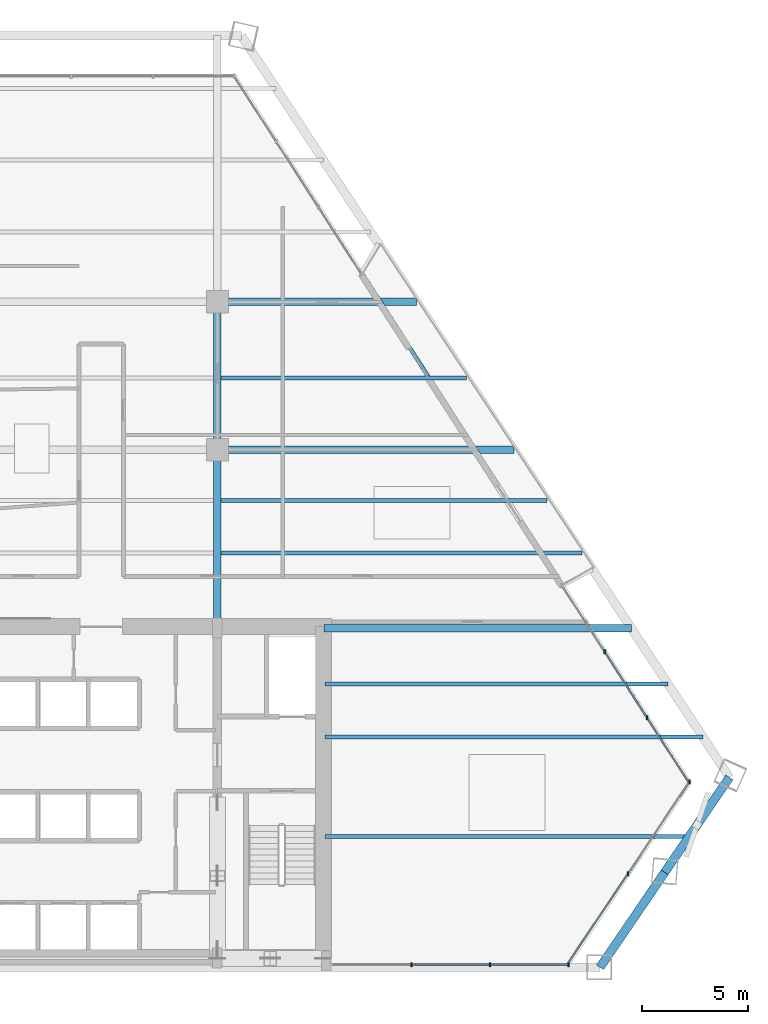
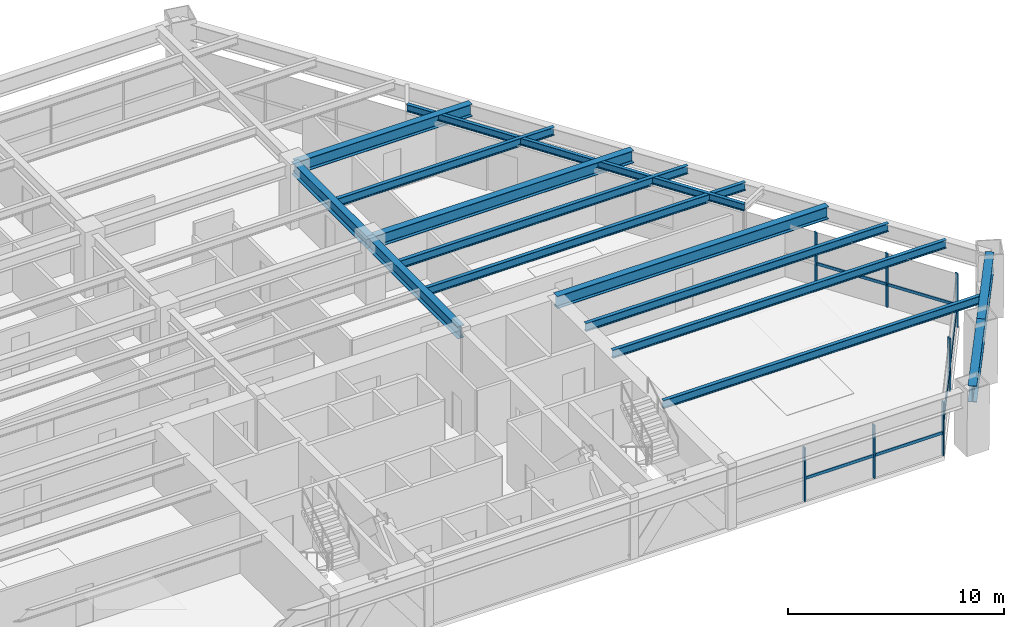
# One storey, part 6 of 14: 14 beams, 13 members, 3 elements without a shape of their own.
"""IFC4 building model written with IfcOpenShell, lengths in metres."""

from ifc_helpers import new_model, si_unit, direction, frame, origin, origin_2d, place, context, subcontext, project, spatial, rectangle, i_section, extrude, source, transform, mapped, material, material_profile, profile_set, type_object, type_shapes, element, aggregate, save


model = new_model("IFC4")

# Units and contexts
model_context = context("Model", 3, precision=1e-05, world=origin(), true_north=direction((0.0, 1.0)))
body_context = subcontext(model_context, "Body", "Model", "MODEL_VIEW")
ifc_project = project(units=[si_unit("LENGTHUNIT", "METRE"), si_unit("AREAUNIT", "SQUARE_METRE"), si_unit("VOLUMEUNIT", "CUBIC_METRE"), si_unit("PLANEANGLEUNIT", "RADIAN"), si_unit("MASSUNIT", "GRAM", prefix="KILO")], contexts=[model_context])

# Site, building, storey
site_placement = place(None, origin())
site = spatial("IfcSite", under=ifc_project, at=site_placement, CompositionType="ELEMENT")
building_placement = place(site_placement, origin())
building = spatial("IfcBuilding", under=site, at=building_placement, Name="Varnakhor Terracotta Tower", CompositionType="ELEMENT")
storey_placement = place(building_placement, frame((0.0, 0.0, 106.199951171875)))
storey = spatial("IfcBuildingStorey", under=building, at=storey_placement, Name="L26", CompositionType="ELEMENT", Elevation=106.199951171875)

# Beams
ifc_material_1 = material(Name="Steel S355", Category="steel")
ifc_material_profile_1 = material_profile(ifc_material_1, i_section(OverallWidth=0.35498046875, OverallDepth=0.695068359375, WebThickness=0.014892578125, FlangeThickness=0.02490234375, FilletRadius=0.01806640625, at=origin_2d()), Name="W27X146")
ifc_profile_set_1 = profile_set([ifc_material_profile_1], Name="Steel S355")
beam_type_1 = type_object("IfcBeamType", Name="BM-W27X146", PredefinedType="BEAM", material=ifc_profile_set_1)
shared_shape_1 = source(origin(), body_context, "Body", "SweptSolid", [
    extrude(i_section(OverallWidth=0.35498046875, OverallDepth=0.695068359375, WebThickness=0.014892578125, FlangeThickness=0.02490234375, FilletRadius=0.01806640625, at=origin_2d()), origin(), (0.0, 0.0, 1.0), 8.449951171875),
])
type_shapes(beam_type_1, [shared_shape_1])
beam_1_placement = place(storey_placement, frame((5.5, 16.050048828125, 3.1025390625), z_axis=(0.0, 1.0, 0.0), x_axis=(-1.0, 0.0, 0.0)))
element("IfcBeam", 1, at=beam_1_placement, inside=storey, type_object=beam_type_1, Name="L26 Primary Girder NS1-E", PredefinedType="BEAM", context=body_context, shape_type="MappedRepresentation", body=[
    mapped(shared_shape_1, transform((0.0, 0.0, 0.0), scale=1.0)),
])
shared_shape_2 = source(origin(), body_context, "Body", "SweptSolid", [
    extrude(i_section(OverallWidth=0.35498046875, OverallDepth=0.695068359375, WebThickness=0.014892578125, FlangeThickness=0.02490234375, FilletRadius=0.01806640625, at=origin_2d()), origin(), (0.0, 0.0, 1.0), 7.0),
])
beam_2_placement = place(storey_placement, frame((5.5, 24.5, 3.1025390625), z_axis=(0.0, 1.0, 0.0), x_axis=(-1.0, 0.0, 0.0)))
element("IfcBeam", 2, at=beam_2_placement, inside=storey, type_object=beam_type_1, Name="L26 Primary Girder NS2-E", PredefinedType="BEAM", context=body_context, shape_type="MappedRepresentation", body=[
    mapped(shared_shape_2, transform((0.0, 0.0, 0.0), scale=1.0)),
])
ifc_material_profile_2 = material_profile(ifc_material_1, i_section(OverallWidth=0.19189453125, OverallDepth=0.462890625, WebThickness=0.010498046875, FlangeThickness=0.017578125, FilletRadius=0.01806640625, at=origin_2d()), Name="W18X60")
ifc_profile_set_2 = profile_set([ifc_material_profile_2], Name="Steel S355")
beam_type_2 = type_object("IfcBeamType", Name="JST-W18X60", PredefinedType="JOIST", material=ifc_profile_set_2)
shared_shape_3 = source(origin(), body_context, "Body", "SweptSolid", [
    extrude(i_section(OverallWidth=0.19189453125, OverallDepth=0.462890625, WebThickness=0.010498046875, FlangeThickness=0.017578125, FilletRadius=0.01806640625, at=origin_2d()), origin(), (0.0, 0.0, 1.0), 17.080810546875),
])
beam_3_placement = place(storey_placement, frame((5.673583984375, 19.60009765625, 3.218505859375), z_axis=(1.0, 0.0, 0.0), x_axis=(0.0, 1.0, 0.0)))
element("IfcBeam", 3, at=beam_3_placement, inside=storey, type_object=beam_type_2, Name="L26 Composite Floor Joist 4-3", PredefinedType="JOIST", context=body_context, shape_type="MappedRepresentation", body=[
    mapped(shared_shape_3, transform((0.0, 0.0, 0.0), scale=1.0)),
])
ifc_material_profile_3 = material_profile(ifc_material_1, i_section(OverallWidth=0.41796875, OverallDepth=0.927001953125, WebThickness=0.01904296875, FlangeThickness=0.031982421875, FilletRadius=0.01806640625, at=origin_2d()), Name="W36X231")
ifc_profile_set_3 = profile_set([ifc_material_profile_3], Name="Steel S355")
beam_type_3 = type_object("IfcBeamType", Name="BM-W36X231", PredefinedType="BEAM", material=ifc_profile_set_3)
shared_shape_4 = source(origin(), body_context, "Body", "SweptSolid", [
    extrude(i_section(OverallWidth=0.41796875, OverallDepth=0.927001953125, WebThickness=0.01904296875, FlangeThickness=0.031982421875, FilletRadius=0.01806640625, at=origin_2d()), origin(), (0.0, 0.0, 1.0), 5.440185546875),
])
beam_4_placement = place(storey_placement, frame((23.609375, 0.0, 2.986572265625), z_axis=(0.562988641451, 0.826464632998, 0.0), x_axis=(-0.826464632998, 0.562988641451, 0.0)))
element("IfcBeam", 4, at=beam_4_placement, inside=storey, type_object=beam_type_3, Name="L26 Perimeter Spandrel 2", PredefinedType="BEAM", context=body_context, shape_type="MappedRepresentation", body=[
    mapped(shared_shape_4, transform((0.0, 0.0, 0.0), scale=1.0)),
])
shared_shape_5 = source(origin(), body_context, "Body", "SweptSolid", [
    extrude(i_section(OverallWidth=0.41796875, OverallDepth=0.927001953125, WebThickness=0.01904296875, FlangeThickness=0.031982421875, FilletRadius=0.01806640625, at=origin_2d()), origin(), (0.0, 0.0, 1.0), 5.4404296875),
])
beam_5_placement = place(storey_placement, frame((26.672119140625, 4.49609375, 2.986572265625), z_axis=(0.562998413046, 0.826457976492, 0.0), x_axis=(-0.826457976492, 0.562998413046, 0.0)))
element("IfcBeam", 5, at=beam_5_placement, inside=storey, type_object=beam_type_3, Name="L26 Perimeter Spandrel 3", PredefinedType="BEAM", context=body_context, shape_type="MappedRepresentation", body=[
    mapped(shared_shape_5, transform((0.0, 0.0, 0.0), scale=1.0)),
])
ifc_material_profile_4 = material_profile(ifc_material_1, i_section(OverallWidth=0.179931640625, OverallDepth=0.39990234375, WebThickness=0.008544921875, FlangeThickness=0.013427734375, FilletRadius=0.01806640625, at=origin_2d()), Name="IPE400")
ifc_profile_set_4 = profile_set([ifc_material_profile_4], Name="Steel S355")
beam_type_4 = type_object("IfcBeamType", Name="JST-IPE400", PredefinedType="JOIST", material=ifc_profile_set_4)
shared_shape_6 = source(origin(), body_context, "Body", "SweptSolid", [
    extrude(i_section(OverallWidth=0.179931640625, OverallDepth=0.39990234375, WebThickness=0.008544921875, FlangeThickness=0.013427734375, FilletRadius=0.01806640625, at=origin_2d()), origin(), (0.0, 0.0, 1.0), 17.617919921875),
])
beam_6_placement = place(storey_placement, frame((21.84521484375, 18.060546875, 3.25), z_axis=(-0.540676345081, 0.841230699553, 0.0), x_axis=(-0.841230699553, -0.540676345081, 0.0)))
element("IfcBeam", 6, at=beam_6_placement, inside=storey, type_object=beam_type_4, Name="L26 Loggia Edge Beam 1", PredefinedType="JOIST", context=body_context, shape_type="MappedRepresentation", body=[
    mapped(shared_shape_6, transform((0.0, 0.0, 0.0), scale=1.0)),
])
shared_shape_7 = source(origin(), body_context, "Body", "SweptSolid", [
    extrude(i_section(OverallWidth=0.35498046875, OverallDepth=0.695068359375, WebThickness=0.014892578125, FlangeThickness=0.02490234375, FilletRadius=0.01806640625, at=origin_2d()), origin(), (0.0, 0.0, 1.0), 14.540771484375),
])
beam_7_placement = place(storey_placement, frame((10.550048828125, 16.050048828125, 3.1025390625), z_axis=(1.0, 0.0, 0.0), x_axis=(0.0, 1.0, 0.0)))
element("IfcBeam", 7, at=beam_7_placement, inside=storey, type_object=beam_type_1, Name="L26 Wing Girder E", PredefinedType="BEAM", context=body_context, shape_type="MappedRepresentation", body=[
    mapped(shared_shape_7, transform((0.0, 0.0, 0.0), scale=1.0)),
])
shared_shape_8 = source(origin(), body_context, "Body", "SweptSolid", [
    extrude(i_section(OverallWidth=0.35498046875, OverallDepth=0.695068359375, WebThickness=0.014892578125, FlangeThickness=0.02490234375, FilletRadius=0.01806640625, at=origin_2d()), origin(), (0.0, 0.0, 1.0), 14.02978515625),
])
beam_8_placement = place(storey_placement, frame((5.5, 24.5, 3.1025390625), z_axis=(1.0, 0.0, 0.0), x_axis=(0.0, 1.0, 0.0)))
element("IfcBeam", 8, at=beam_8_placement, inside=storey, type_object=beam_type_1, Name="L26 Primary Girder EW2-3", PredefinedType="BEAM", context=body_context, shape_type="MappedRepresentation", body=[
    mapped(shared_shape_8, transform((0.0, 0.0, 0.0), scale=1.0)),
])
shared_shape_9 = source(origin(), body_context, "Body", "SweptSolid", [
    extrude(i_section(OverallWidth=0.35498046875, OverallDepth=0.695068359375, WebThickness=0.014892578125, FlangeThickness=0.02490234375, FilletRadius=0.01806640625, at=origin_2d()), origin(), (0.0, 0.0, 1.0), 9.42333984375),
])
beam_9_placement = place(storey_placement, frame((5.5, 31.5, 3.1025390625), z_axis=(1.0, 0.0, 0.0), x_axis=(0.0, 1.0, 0.0)))
element("IfcBeam", 9, at=beam_9_placement, inside=storey, type_object=beam_type_1, Name="L26 Primary Girder EW3-3", PredefinedType="BEAM", context=body_context, shape_type="MappedRepresentation", body=[
    mapped(shared_shape_9, transform((0.0, 0.0, 0.0), scale=1.0)),
])
shared_shape_10 = source(origin(), body_context, "Body", "SweptSolid", [
    extrude(i_section(OverallWidth=0.19189453125, OverallDepth=0.462890625, WebThickness=0.010498046875, FlangeThickness=0.017578125, FilletRadius=0.01806640625, at=origin_2d()), origin(), (0.0, 0.0, 1.0), 17.23291015625),
])
beam_10_placement = place(storey_placement, frame((10.60009765625, 6.199951171875, 3.218505859375), z_axis=(1.0, 0.0, 0.0), x_axis=(0.0, 1.0, 0.0)))
element("IfcBeam", 10, at=beam_10_placement, inside=storey, type_object=beam_type_2, Name="L26 Floor Joist E1", PredefinedType="JOIST", context=body_context, shape_type="MappedRepresentation", body=[
    mapped(shared_shape_10, transform((0.0, 0.0, 0.0), scale=1.0)),
])
shared_shape_11 = source(origin(), body_context, "Body", "SweptSolid", [
    extrude(i_section(OverallWidth=0.19189453125, OverallDepth=0.462890625, WebThickness=0.010498046875, FlangeThickness=0.017578125, FilletRadius=0.01806640625, at=origin_2d()), origin(), (0.0, 0.0, 1.0), 17.8798828125),
])
beam_11_placement = place(storey_placement, frame((10.60009765625, 10.89990234375, 3.218505859375), z_axis=(1.0, 0.0, 0.0), x_axis=(0.0, 1.0, 0.0)))
element("IfcBeam", 11, at=beam_11_placement, inside=storey, type_object=beam_type_2, Name="L26 Floor Joist E2", PredefinedType="JOIST", context=body_context, shape_type="MappedRepresentation", body=[
    mapped(shared_shape_11, transform((0.0, 0.0, 0.0), scale=1.0)),
])
shared_shape_12 = source(origin(), body_context, "Body", "SweptSolid", [
    extrude(i_section(OverallWidth=0.19189453125, OverallDepth=0.462890625, WebThickness=0.010498046875, FlangeThickness=0.017578125, FilletRadius=0.01806640625, at=origin_2d()), origin(), (0.0, 0.0, 1.0), 16.234619140625),
])
beam_12_placement = place(storey_placement, frame((10.60009765625, 13.39990234375, 3.218505859375), z_axis=(1.0, 0.0, 0.0), x_axis=(0.0, 1.0, 0.0)))
element("IfcBeam", 12, at=beam_12_placement, inside=storey, type_object=beam_type_2, Name="L26 Floor Joist E3", PredefinedType="JOIST", context=body_context, shape_type="MappedRepresentation", body=[
    mapped(shared_shape_12, transform((0.0, 0.0, 0.0), scale=1.0)),
])
shared_shape_13 = source(origin(), body_context, "Body", "SweptSolid", [
    extrude(i_section(OverallWidth=0.19189453125, OverallDepth=0.462890625, WebThickness=0.010498046875, FlangeThickness=0.017578125, FilletRadius=0.01806640625, at=origin_2d()), origin(), (0.0, 0.0, 1.0), 15.435791015625),
])
beam_13_placement = place(storey_placement, frame((5.673583984375, 22.10009765625, 3.218505859375), z_axis=(1.0, 0.0, 0.0), x_axis=(0.0, 1.0, 0.0)))
element("IfcBeam", 13, at=beam_13_placement, inside=storey, type_object=beam_type_2, Name="L26 Composite Floor Joist 5-3", PredefinedType="JOIST", context=body_context, shape_type="MappedRepresentation", body=[
    mapped(shared_shape_13, transform((0.0, 0.0, 0.0), scale=1.0)),
])
shared_shape_14 = source(origin(), body_context, "Body", "SweptSolid", [
    extrude(i_section(OverallWidth=0.19189453125, OverallDepth=0.462890625, WebThickness=0.010498046875, FlangeThickness=0.017578125, FilletRadius=0.01806640625, at=origin_2d()), origin(), (0.0, 0.0, 1.0), 11.618896484375),
])
beam_14_placement = place(storey_placement, frame((5.673583984375, 27.89990234375, 3.218505859375), z_axis=(1.0, 0.0, 0.0), x_axis=(0.0, 1.0, 0.0)))
element("IfcBeam", 14, at=beam_14_placement, inside=storey, type_object=beam_type_2, Name="L26 Composite Floor Joist 6-3", PredefinedType="JOIST", context=body_context, shape_type="MappedRepresentation", body=[
    mapped(shared_shape_14, transform((0.0, 0.0, 0.0), scale=1.0)),
])

# Curtain wall, members
ifc_material_2 = material(Name="Anodised Aluminium Curtain Wall System", Category="aluminium")
curtain_wall_type = type_object("IfcCurtainWallType", Name="CW-SYS-LOW-OFFICE", PredefinedType="NOTDEFINED", material=ifc_material_2)
curtain_wall_1_placement = place(storey_placement, origin())
curtain_wall_1 = element("IfcCurtainWall", 15, at=curtain_wall_1_placement, inside=storey, type_object=curtain_wall_type, Name="L26 E Facet Curtain Wall 2", PredefinedType="NOTDEFINED")
ifc_material_3 = material(Name="Anodised Aluminium 6063-T6", Category="aluminium")
ifc_material_profile_5 = material_profile(ifc_material_3, rectangle(XDim=0.074951171875, YDim=0.18505859375, at=origin_2d()), Name="ALU MULLION 75x185")
ifc_profile_set_5 = profile_set([ifc_material_profile_5], Name="Anodised Aluminium 6063-T6")
member_type_1 = type_object("IfcMemberType", Name="CWM-02", PredefinedType="MULLION", material=ifc_profile_set_5)
shared_shape_15 = source(origin(), body_context, "Body", "SweptSolid", [
    extrude(rectangle(XDim=0.074951171875, YDim=0.18505859375, at=origin_2d()), origin(), (0.0, 0.0, 1.0), 3.030029296875),
])
type_shapes(member_type_1, [shared_shape_15])
member_1_placement = place(storey_placement, frame((23.83544921875, 14.931396484375, 0.0), z_axis=(0.0, 0.0, 1.0), x_axis=(1.0, 0.0, 0.0)))
member_1 = element("IfcMember", 16, at=member_1_placement, type_object=member_type_1, Name="L26 E Facet Curtain Wall 2 Mullion 2", PredefinedType="MULLION", context=body_context, shape_type="MappedRepresentation", body=[
    mapped(shared_shape_15, transform((0.0, 0.0, 0.0), scale=1.0)),
])
member_2_placement = place(storey_placement, frame((25.84033203125, 11.81689453125, 0.0), z_axis=(0.0, 0.0, 1.0), x_axis=(1.0, 0.0, 0.0)))
member_2 = element("IfcMember", 17, at=member_2_placement, type_object=member_type_1, Name="L26 E Facet Curtain Wall 2 Mullion 3", PredefinedType="MULLION", context=body_context, shape_type="MappedRepresentation", body=[
    mapped(shared_shape_15, transform((0.0, 0.0, 0.0), scale=1.0)),
])

curtain_wall_2_placement = place(storey_placement, origin())
curtain_wall_2 = element("IfcCurtainWall", 18, at=curtain_wall_2_placement, inside=storey, type_object=curtain_wall_type, Name="L26 Facet Curtain Wall 4", PredefinedType="NOTDEFINED")
member_3_placement = place(storey_placement, frame((27.845947265625, 8.78369140625, 0.0), z_axis=(0.0, 0.0, 1.0), x_axis=(1.0, 0.0, 0.0)))
member_3 = element("IfcMember", 19, at=member_3_placement, type_object=member_type_1, Name="L26 Facet Curtain Wall 4 Mullion 1", PredefinedType="MULLION", context=body_context, shape_type="MappedRepresentation", body=[
    mapped(shared_shape_15, transform((0.0, 0.0, 0.0), scale=1.0)),
])
member_4_placement = place(storey_placement, frame((24.94091796875, 4.437744140625, 0.0), z_axis=(0.0, 0.0, 1.0), x_axis=(1.0, 0.0, 0.0)))
member_4 = element("IfcMember", 20, at=member_4_placement, type_object=member_type_1, Name="L26 Facet Curtain Wall 4 Mullion 2", PredefinedType="MULLION", context=body_context, shape_type="MappedRepresentation", body=[
    mapped(shared_shape_15, transform((0.0, 0.0, 0.0), scale=1.0)),
])

curtain_wall_3_placement = place(storey_placement, origin())
curtain_wall_3 = element("IfcCurtainWall", 21, at=curtain_wall_3_placement, inside=storey, type_object=curtain_wall_type, Name="L26 South Wing Curtain Wall SSE", PredefinedType="NOTDEFINED")
member_5_placement = place(storey_placement, frame((22.109130859375, 0.1201171875, 0.0), z_axis=(0.0, 0.0, 1.0), x_axis=(1.0, 0.0, 0.0)))
member_5 = element("IfcMember", 22, at=member_5_placement, type_object=member_type_1, Name="L26 South Wing Curtain Wall SSE Mullion 1", PredefinedType="MULLION", context=body_context, shape_type="MappedRepresentation", body=[
    mapped(shared_shape_15, transform((0.0, 0.0, 0.0), scale=1.0)),
])
member_6_placement = place(storey_placement, frame((18.39599609375, 0.1201171875, 0.0), z_axis=(0.0, 0.0, 1.0), x_axis=(1.0, 0.0, 0.0)))
member_6 = element("IfcMember", 23, at=member_6_placement, type_object=member_type_1, Name="L26 South Wing Curtain Wall SSE Mullion 2", PredefinedType="MULLION", context=body_context, shape_type="MappedRepresentation", body=[
    mapped(shared_shape_15, transform((0.0, 0.0, 0.0), scale=1.0)),
])
member_7_placement = place(storey_placement, frame((14.68310546875, 0.1201171875, 0.0), z_axis=(0.0, 0.0, 1.0), x_axis=(1.0, 0.0, 0.0)))
member_7 = element("IfcMember", 24, at=member_7_placement, type_object=member_type_1, Name="L26 South Wing Curtain Wall SSE Mullion 3", PredefinedType="MULLION", context=body_context, shape_type="MappedRepresentation", body=[
    mapped(shared_shape_15, transform((0.0, 0.0, 0.0), scale=1.0)),
])

# Member
ifc_material_profile_6 = material_profile(ifc_material_3, rectangle(XDim=0.074951171875, YDim=0.1650390625, at=origin_2d()), Name="ALU TRANSOM 75x165")
ifc_profile_set_6 = profile_set([ifc_material_profile_6], Name="Anodised Aluminium 6063-T6")
member_type_2 = type_object("IfcMemberType", Name="CWT-02", PredefinedType="USERDEFINED", material=ifc_profile_set_6)
shared_shape_16 = source(origin(), body_context, "Body", "SweptSolid", [
    extrude(rectangle(XDim=0.074951171875, YDim=0.1650390625, at=origin_2d()), origin(), (0.0, 0.0, 1.0), 3.7041015625),
])
member_8_placement = place(storey_placement, frame((23.83544921875, 14.931396484375, 1.272705078125), z_axis=(0.54127384405, -0.840846374641, 0.0), x_axis=(0.840846374641, 0.54127384405, 0.0)))
member_8 = element("IfcMember", 25, at=member_8_placement, type_object=member_type_2, Name="L26 E Facet Curtain Wall 2 Transom 2", ObjectType="TRANSOM", PredefinedType="USERDEFINED", context=body_context, shape_type="MappedRepresentation", body=[
    mapped(shared_shape_16, transform((0.0, 0.0, 0.0), scale=1.0)),
])

member_9_placement = place(storey_placement, frame((25.84033203125, 11.81689453125, 1.272705078125), z_axis=(0.54127384405, -0.840846374641, 0.0), x_axis=(0.840846374641, 0.54127384405, 0.0)))
member_9 = element("IfcMember", 26, at=member_9_placement, type_object=member_type_2, Name="L26 E Facet Curtain Wall 2 Transom 3", ObjectType="TRANSOM", PredefinedType="USERDEFINED", context=body_context, shape_type="MappedRepresentation", body=[
    mapped(shared_shape_16, transform((0.0, 0.0, 0.0), scale=1.0)),
])

aggregate(curtain_wall_1, [member_1, member_8, member_2, member_9])

shared_shape_17 = source(origin(), body_context, "Body", "SweptSolid", [
    extrude(rectangle(XDim=0.074951171875, YDim=0.1650390625, at=origin_2d()), origin(), (0.0, 0.0, 1.0), 5.2275390625),
])
member_10_placement = place(storey_placement, frame((27.845947265625, 8.78369140625, 1.272705078125), z_axis=(-0.555723658294, -0.831367076334, 0.0), x_axis=(0.831367076334, -0.555723658294, 0.0)))
member_10 = element("IfcMember", 27, at=member_10_placement, type_object=member_type_2, Name="L26 Facet Curtain Wall 4 Transom 1", ObjectType="TRANSOM", PredefinedType="USERDEFINED", context=body_context, shape_type="MappedRepresentation", body=[
    mapped(shared_shape_17, transform((0.0, 0.0, 0.0), scale=1.0)),
])

shared_shape_18 = source(origin(), body_context, "Body", "SweptSolid", [
    extrude(rectangle(XDim=0.074951171875, YDim=0.1650390625, at=origin_2d()), origin(), (0.0, 0.0, 1.0), 5.227783203125),
])
member_11_placement = place(storey_placement, frame((24.94091796875, 4.437744140625, 1.272705078125), z_axis=(-0.555702081494, -0.831381498846, 0.0), x_axis=(0.831381498846, -0.555702081494, 0.0)))
member_11 = element("IfcMember", 28, at=member_11_placement, type_object=member_type_2, Name="L26 Facet Curtain Wall 4 Transom 2", ObjectType="TRANSOM", PredefinedType="USERDEFINED", context=body_context, shape_type="MappedRepresentation", body=[
    mapped(shared_shape_18, transform((0.0, 0.0, 0.0), scale=1.0)),
])

aggregate(curtain_wall_2, [member_3, member_10, member_4, member_11])

shared_shape_19 = source(origin(), body_context, "Body", "SweptSolid", [
    extrude(rectangle(XDim=0.074951171875, YDim=0.1650390625, at=origin_2d()), origin(), (0.0, 0.0, 1.0), 3.713134765625),
])
member_12_placement = place(storey_placement, frame((22.109130859375, 0.1201171875, 1.272705078125), z_axis=(-1.0, 0.0, 0.0), x_axis=(0.0, -1.0, 0.0)))
member_12 = element("IfcMember", 29, at=member_12_placement, type_object=member_type_2, Name="L26 South Wing Curtain Wall SSE Transom 1", ObjectType="TRANSOM", PredefinedType="USERDEFINED", context=body_context, shape_type="MappedRepresentation", body=[
    mapped(shared_shape_19, transform((0.0, 0.0, 0.0), scale=1.0)),
])

shared_shape_20 = source(origin(), body_context, "Body", "SweptSolid", [
    extrude(rectangle(XDim=0.074951171875, YDim=0.1650390625, at=origin_2d()), origin(), (0.0, 0.0, 1.0), 3.712890625),
])
member_13_placement = place(storey_placement, frame((18.39599609375, 0.1201171875, 1.272705078125), z_axis=(-1.0, 0.0, 0.0), x_axis=(0.0, -1.0, 0.0)))
member_13 = element("IfcMember", 30, at=member_13_placement, type_object=member_type_2, Name="L26 South Wing Curtain Wall SSE Transom 2", ObjectType="TRANSOM", PredefinedType="USERDEFINED", context=body_context, shape_type="MappedRepresentation", body=[
    mapped(shared_shape_20, transform((0.0, 0.0, 0.0), scale=1.0)),
])

aggregate(curtain_wall_3, [member_5, member_12, member_6, member_13, member_7])

save(model, "model.ifc")
